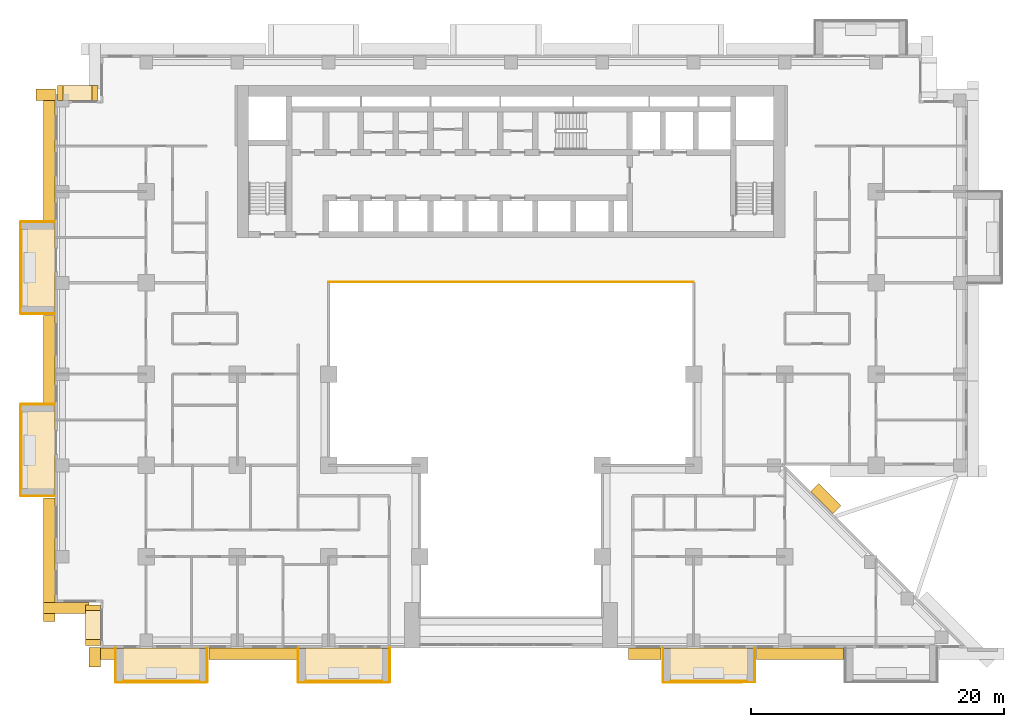
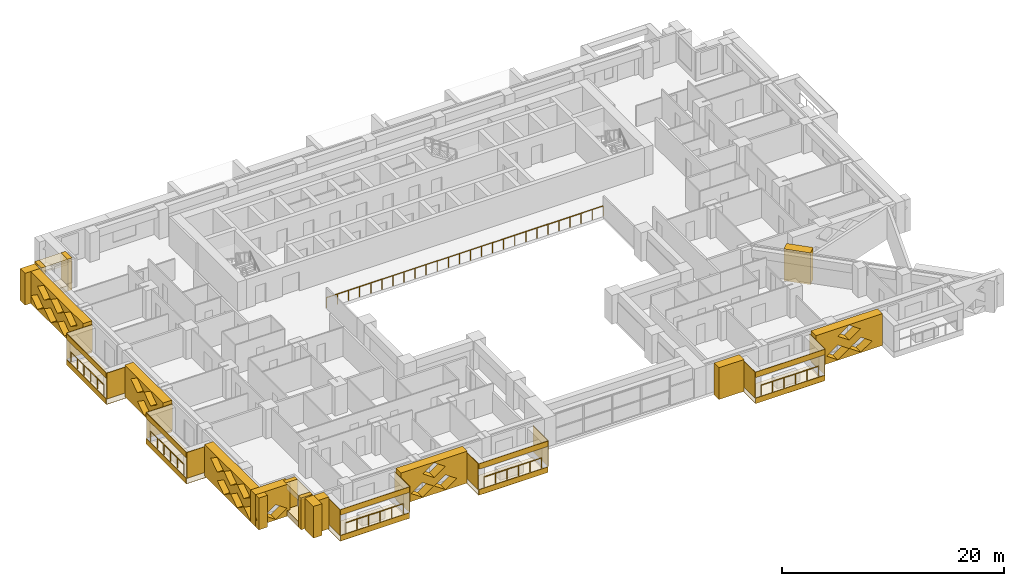
# One storey, part 14 of 17: 44 coverings, 6 railings.
"""IFC4 building model written with IfcOpenShell, lengths in metres."""

import ifcopenshell
import ifcopenshell.guid

model = None  # the IFC model being written
_history = None  # IfcOwnerHistory: only IFC2X3 demands one
_inside = {}  # id of a spatial element -> (the spatial element, [elements in it])
_under = {}  # id of a project, library or spatial element -> (it, [spatial elements below it])
_declared = {}  # id of a project -> (the project, [libraries it declares])
_typed = {}  # id of a type object -> (the type object, [elements of that type])
_made_of = {}  # id of a material, layer set ... -> (it, [elements and type objects made of it])


def new_model(schema):
    """Start an empty IFC model of exactly this schema.

    Asked for "IFC4X3", IfcOpenShell would pick the latest addendum, in which some entities
    have other attributes; the version numbers below select the first issue.
    IFC2X3 requires an IfcOwnerHistory on every rooted entity: one is made here for all.
    """
    global model, _history
    if schema == "IFC4X3":
        model = ifcopenshell.file(schema_version=(4, 3, 0, 0))
    else:
        model = ifcopenshell.file(schema=schema)
    _inside.clear()
    _under.clear()
    _declared.clear()
    _typed.clear()
    _made_of.clear()
    _history = None
    if model.schema == "IFC2X3":
        org = make("IfcOrganization", Name="unknown")
        user = make(
            "IfcPersonAndOrganization",
            ThePerson=make("IfcPerson", FamilyName="unknown"),
            TheOrganization=org,
        )
        app = make(
            "IfcApplication",
            ApplicationDeveloper=org,
            Version="unknown",
            ApplicationFullName="unknown",
            ApplicationIdentifier="unknown",
        )
        _history = make(
            "IfcOwnerHistory",
            OwningUser=user,
            OwningApplication=app,
            ChangeAction="ADDED",
            CreationDate=0,
        )
    return model


def make(cls, **values):
    """One entity of the class cls with the attributes given. An attribute that is None is left unset."""
    return model.create_entity(
        cls, **{name: value for name, value in values.items() if value is not None}
    )


def rooted(cls, **values):
    """An entity with a GlobalId (a new one), such as an element, a storey or a relation."""
    return make(cls, GlobalId=ifcopenshell.guid.new(), OwnerHistory=_history, **values)


def si_unit(unit_type, name, prefix=None):
    """IfcSIUnit, for example si_unit("LENGTHUNIT", "METRE", prefix="MILLI")."""
    return make("IfcSIUnit", UnitType=unit_type, Prefix=prefix, Name=name)


def assignment(units):
    """IfcUnitAssignment: the units of a project."""
    return None if units is None else make("IfcUnitAssignment", Units=units)


def point(xyz):
    """IfcCartesianPoint."""
    return None if xyz is None else make("IfcCartesianPoint", Coordinates=xyz)


def direction(xyz):
    """IfcDirection."""
    return None if xyz is None else make("IfcDirection", DirectionRatios=xyz)


def frame(location, z_axis=None, x_axis=None):
    """IfcAxis2Placement3D, a coordinate frame: its origin and axes. An axis left out is left unset."""
    return make(
        "IfcAxis2Placement3D",
        Location=point(location),
        Axis=direction(z_axis),
        RefDirection=direction(x_axis),
    )


def frame_2d(location, x_axis=None):
    """IfcAxis2Placement2D, a coordinate frame in the plane: its origin and x axis."""
    return make(
        "IfcAxis2Placement2D", Location=point(location), RefDirection=direction(x_axis)
    )


def origin():
    """The frame at (0, 0, 0) with its axes left unset."""
    return frame((0.0, 0.0, 0.0))


def origin_2d():
    """The frame at (0, 0) in the plane with its x axis left unset."""
    return frame_2d((0.0, 0.0))


def place(relative_to, where):
    """IfcLocalPlacement: puts the frame where relative to a parent placement (None: the world)."""
    return make(
        "IfcLocalPlacement", PlacementRelTo=relative_to, RelativePlacement=where
    )


def context(
    kind, dimensions, precision=None, world=None, true_north=None, identifier=None
):
    """IfcGeometricRepresentationContext, for example the 3D "Model" context."""
    return make(
        "IfcGeometricRepresentationContext",
        ContextIdentifier=identifier,
        ContextType=kind,
        CoordinateSpaceDimension=dimensions,
        Precision=precision,
        WorldCoordinateSystem=world,
        TrueNorth=true_north,
    )


def subcontext(parent, identifier, kind, view, scale=None):
    """IfcGeometricRepresentationSubContext, for example "Body" below "Model"."""
    return make(
        "IfcGeometricRepresentationSubContext",
        ContextIdentifier=identifier,
        ContextType=kind,
        ParentContext=parent,
        TargetScale=scale,
        TargetView=view,
    )


def project(units=None, contexts=None):
    """IfcProject with its units and contexts."""
    return rooted(
        "IfcProject",
        Name="project",
        RepresentationContexts=contexts,
        UnitsInContext=assignment(units),
    )


def spatial(cls, under=None, at=None, **own):
    """A site, building, storey or space (cls), placed at a placement, below another one or the project."""
    s = rooted(cls, ObjectPlacement=at, **own)
    if under is not None:
        _under.setdefault(under.id(), (under, []))[1].append(s)
    return s


def polyline(points):
    """IfcPolyline through the points."""
    return make("IfcPolyline", Points=[point(p) for p in points])


def profile(cls, at=None, kind="AREA", **sizes):
    """A parametric profile (cls). Its sizes go by their IFC names, for example OverallWidth=200.0."""
    return make(cls, ProfileType=kind, Position=at, **sizes)


def circle(**sizes):
    """IfcCircleProfileDef."""
    return profile("IfcCircleProfileDef", **sizes)


def outline(outer, holes=None, kind="AREA"):
    """IfcArbitraryClosedProfileDef: a profile drawn as a closed curve; with holes, ...WithVoids."""
    if holes is None:
        return make("IfcArbitraryClosedProfileDef", ProfileType=kind, OuterCurve=outer)
    return make(
        "IfcArbitraryProfileDefWithVoids",
        ProfileType=kind,
        OuterCurve=outer,
        InnerCurves=holes,
    )


def extrude(swept, where, along, depth):
    """IfcExtrudedAreaSolid: the profile swept, set in the frame where, extruded along a direction by depth."""
    return make(
        "IfcExtrudedAreaSolid",
        SweptArea=swept,
        Position=where,
        ExtrudedDirection=direction(along),
        Depth=depth,
    )


def shape(context_of_items, identifier, shape_type, items):
    """IfcShapeRepresentation: the items that make up one representation, for example the "Body"."""
    return make(
        "IfcShapeRepresentation",
        ContextOfItems=context_of_items,
        RepresentationIdentifier=identifier,
        RepresentationType=shape_type,
        Items=items,
    )


def material(Name=None, Category=None):
    """IfcMaterial."""
    return make("IfcMaterial", Name=Name, Category=Category)


def layer(
    of_material, thickness, ventilated=None, Name=None, Category=None, Priority=None
):
    """IfcMaterialLayer: one layer of a wall or slab, of a material (None: an air gap)."""
    return make(
        "IfcMaterialLayer",
        Material=of_material,
        LayerThickness=thickness,
        IsVentilated=ventilated,
        Name=Name,
        Category=Category,
        Priority=Priority,
    )


def layer_set(layers, Name=None):
    """IfcMaterialLayerSet."""
    return make("IfcMaterialLayerSet", MaterialLayers=layers, LayerSetName=Name)


def made_of(thing, what):
    """Note that an element or type object is made of a material, layer set ...; save() writes the relation."""
    if what is not None:
        _made_of.setdefault(what.id(), (what, []))[1].append(thing)
    return thing


def type_object(cls, material=None, **own):
    """A type object (cls), such as IfcWallType, which elements share."""
    return made_of(rooted(cls, **own), material)


def element(
    cls,
    number,
    at=None,
    inside=None,
    cuts=None,
    type_object=None,
    material=None,
    context=None,
    identifier="Body",
    shape_type=None,
    held_by="IfcProductDefinitionShape",
    body=None,
    shapes=None,
    **own,
):
    """One element of the class cls, such as IfcWall. Its Tag is "e" and its number.

    at: its placement. inside: the storey or other place that contains it. cuts: it is an
    opening in that element (IfcRelVoidsElement). A single representation is given by context,
    identifier, shape_type and body (its items); several are given by shapes. held_by: the class
    of the entity that holds the representations. save() writes the other relations.
    """
    e = rooted(cls, Tag="e%d" % number, ObjectPlacement=at, **own)
    if body is not None:
        shapes = [shape(context, identifier, shape_type, body)]
    if shapes is not None:
        e.Representation = make(held_by, Representations=shapes)
    if inside is not None:
        _inside.setdefault(inside.id(), (inside, []))[1].append(e)
    if cuts is not None:
        rooted(
            "IfcRelVoidsElement", RelatingBuildingElement=cuts, RelatedOpeningElement=e
        )
    if type_object is not None:
        _typed.setdefault(type_object.id(), (type_object, []))[1].append(e)
    return made_of(e, material)


def aggregate(whole, parts):
    """IfcRelAggregates: a whole, such as a stair, and the parts it consists of."""
    return rooted("IfcRelAggregates", RelatingObject=whole, RelatedObjects=parts)


def save(model, path):
    """Write the relations noted so far, then the file.

    IfcRelAggregates (storeys below a building ...), IfcRelContainedInSpatialStructure (elements
    in a storey), IfcRelDefinesByType, IfcRelAssociatesMaterial and IfcRelDeclares: one each for
    every whole, place, type object, material and project.
    """
    for whole, parts in _under.values():
        aggregate(whole, parts)
    for where, things in _inside.values():
        rooted(
            "IfcRelContainedInSpatialStructure",
            RelatedElements=things,
            RelatingStructure=where,
        )
    for kind, things in _typed.values():
        rooted("IfcRelDefinesByType", RelatedObjects=things, RelatingType=kind)
    for what, things in _made_of.values():
        rooted("IfcRelAssociatesMaterial", RelatedObjects=things, RelatingMaterial=what)
    for by, libraries in _declared.values():
        rooted("IfcRelDeclares", RelatingContext=by, RelatedDefinitions=libraries)
    model.write(path)


model = new_model("IFC4")

# Units and contexts
model_context = context("Model", 3, precision=1e-05, world=origin(), true_north=direction((0.0, 1.0)))
body_context = subcontext(model_context, "Body", "Model", "MODEL_VIEW")
ifc_project = project(units=[si_unit("LENGTHUNIT", "METRE"), si_unit("AREAUNIT", "SQUARE_METRE"), si_unit("VOLUMEUNIT", "CUBIC_METRE"), si_unit("PLANEANGLEUNIT", "RADIAN"), si_unit("MASSUNIT", "GRAM", prefix="KILO")], contexts=[model_context])

# Site, building, storey
site_placement = place(None, origin())
site = spatial("IfcSite", under=ifc_project, at=site_placement, CompositionType="ELEMENT")
building_placement = place(site_placement, origin())
building = spatial("IfcBuilding", under=site, at=building_placement, Name="Saffron Iwan Residences", CompositionType="ELEMENT")
storey_placement = place(building_placement, frame((0.0, 0.0, 62.0)))
storey = spatial("IfcBuildingStorey", under=building, at=storey_placement, Name="L15", CompositionType="ELEMENT", Elevation=62.0)

# Railings
ifc_material_1 = material(Name="Stainless steel 316", Category="steel")
railing_type_1 = type_object("IfcRailingType", Name="Atrium guard 1150", PredefinedType="GUARDRAIL", material=ifc_material_1)
railing_placement = place(storey_placement, frame((36.0, 62.47509765625, 0.0)))
element("IfcRailing", 1, at=railing_placement, inside=storey, type_object=railing_type_1, Name="Atrium guard L15", PredefinedType="GUARDRAIL", context=body_context, shape_type="SweptSolid", body=[
    extrude(circle(Radius=0.02392578125, at=origin_2d()), frame((0.0, 0.0, 1.1259765625), z_axis=(1.0, 0.0, 0.0), x_axis=(0.0, 1.0, 0.0)), (0.0, 0.0, 1.0), 28.800048828125),
    extrude(circle(Radius=0.02099609375, at=origin_2d()), origin(), (0.0, 0.0, 1.0), 1.101806640625),
    extrude(circle(Radius=0.02099609375, at=origin_2d()), frame((1.152099609375, 0.0, 0.0)), (0.0, 0.0, 1.0), 1.101806640625),
    extrude(circle(Radius=0.02099609375, at=origin_2d()), frame((2.303955078125, 0.0, 0.0)), (0.0, 0.0, 1.0), 1.101806640625),
    extrude(circle(Radius=0.02099609375, at=origin_2d()), frame((3.4560546875, 0.0, 0.0)), (0.0, 0.0, 1.0), 1.101806640625),
    extrude(circle(Radius=0.02099609375, at=origin_2d()), frame((4.60791015625, 0.0, 0.0)), (0.0, 0.0, 1.0), 1.101806640625),
    extrude(circle(Radius=0.02099609375, at=origin_2d()), frame((5.760009765625, 0.0, 0.0)), (0.0, 0.0, 1.0), 1.101806640625),
    extrude(circle(Radius=0.02099609375, at=origin_2d()), frame((6.912109375, 0.0, 0.0)), (0.0, 0.0, 1.0), 1.101806640625),
    extrude(circle(Radius=0.02099609375, at=origin_2d()), frame((8.06396484375, 0.0, 0.0)), (0.0, 0.0, 1.0), 1.101806640625),
    extrude(circle(Radius=0.02099609375, at=origin_2d()), frame((9.216064453125, 0.0, 0.0)), (0.0, 0.0, 1.0), 1.101806640625),
    extrude(circle(Radius=0.02099609375, at=origin_2d()), frame((10.367919921875, 0.0, 0.0)), (0.0, 0.0, 1.0), 1.101806640625),
    extrude(circle(Radius=0.02099609375, at=origin_2d()), frame((11.52001953125, 0.0, 0.0)), (0.0, 0.0, 1.0), 1.101806640625),
    extrude(circle(Radius=0.02099609375, at=origin_2d()), frame((12.672119140625, 0.0, 0.0)), (0.0, 0.0, 1.0), 1.101806640625),
    extrude(circle(Radius=0.02099609375, at=origin_2d()), frame((13.823974609375, 0.0, 0.0)), (0.0, 0.0, 1.0), 1.101806640625),
    extrude(circle(Radius=0.02099609375, at=origin_2d()), frame((14.97607421875, 0.0, 0.0)), (0.0, 0.0, 1.0), 1.101806640625),
    extrude(circle(Radius=0.02099609375, at=origin_2d()), frame((16.1279296875, 0.0, 0.0)), (0.0, 0.0, 1.0), 1.101806640625),
    extrude(circle(Radius=0.02099609375, at=origin_2d()), frame((17.280029296875, 0.0, 0.0)), (0.0, 0.0, 1.0), 1.101806640625),
    extrude(circle(Radius=0.02099609375, at=origin_2d()), frame((18.43212890625, 0.0, 0.0)), (0.0, 0.0, 1.0), 1.101806640625),
    extrude(circle(Radius=0.02099609375, at=origin_2d()), frame((19.583984375, 0.0, 0.0)), (0.0, 0.0, 1.0), 1.101806640625),
    extrude(circle(Radius=0.02099609375, at=origin_2d()), frame((20.736083984375, 0.0, 0.0)), (0.0, 0.0, 1.0), 1.101806640625),
    extrude(circle(Radius=0.02099609375, at=origin_2d()), frame((21.887939453125, 0.0, 0.0)), (0.0, 0.0, 1.0), 1.101806640625),
    extrude(circle(Radius=0.02099609375, at=origin_2d()), frame((23.0400390625, 0.0, 0.0)), (0.0, 0.0, 1.0), 1.101806640625),
    extrude(circle(Radius=0.02099609375, at=origin_2d()), frame((24.192138671875, 0.0, 0.0)), (0.0, 0.0, 1.0), 1.101806640625),
    extrude(circle(Radius=0.02099609375, at=origin_2d()), frame((25.343994140625, 0.0, 0.0)), (0.0, 0.0, 1.0), 1.101806640625),
    extrude(circle(Radius=0.02099609375, at=origin_2d()), frame((26.49609375, 0.0, 0.0)), (0.0, 0.0, 1.0), 1.101806640625),
    extrude(circle(Radius=0.02099609375, at=origin_2d()), frame((27.64794921875, 0.0, 0.0)), (0.0, 0.0, 1.0), 1.101806640625),
    extrude(circle(Radius=0.02099609375, at=origin_2d()), frame((28.800048828125, 0.0, 0.0)), (0.0, 0.0, 1.0), 1.101806640625),
])
railing_type_2 = type_object("IfcRailingType", Name="BALCONY GUARD 1150", PredefinedType="GUARDRAIL", material=ifc_material_1)
for number, where, name in (
    (2, (11.77490234375, 66.60009765625, 0.0), "Balcony guard L15 F8-0"),
    (3, (11.77490234375, 52.199951171875, 0.0), "Balcony guard L15 F8-1"),
):
    element("IfcRailing", number, at=place(storey_placement, frame(where)), inside=storey, type_object=railing_type_2, Name=name, PredefinedType="GUARDRAIL", context=body_context, shape_type="SweptSolid", body=[
        extrude(circle(Radius=0.02392578125, at=origin_2d()), frame((0.0, 0.0, 1.1259765625), z_axis=(0.0, -1.0, 0.0), x_axis=(1.0, 0.0, 0.0)), (0.0, 0.0, 1.0), 6.0),
        extrude(circle(Radius=0.02099609375, at=origin_2d()), origin(), (0.0, 0.0, 1.0), 1.101806640625),
        extrude(circle(Radius=0.02099609375, at=origin_2d()), frame((0.0, -1.199951171875, 0.0)), (0.0, 0.0, 1.0), 1.101806640625),
        extrude(circle(Radius=0.02099609375, at=origin_2d()), frame((0.0, -2.39990234375, 0.0)), (0.0, 0.0, 1.0), 1.101806640625),
        extrude(circle(Radius=0.02099609375, at=origin_2d()), frame((0.0, -3.60009765625, 0.0)), (0.0, 0.0, 1.0), 1.101806640625),
        extrude(circle(Radius=0.02099609375, at=origin_2d()), frame((0.0, -4.800048828125, 0.0)), (0.0, 0.0, 1.0), 1.101806640625),
        extrude(circle(Radius=0.02099609375, at=origin_2d()), frame((0.0, -6.0, 0.0)), (0.0, 0.0, 1.0), 1.101806640625),
    ])
for number, where, name in (
    (4, (19.800048828125, 30.97509765625, 0.0), "Balcony guard L15 11-0"),
    (5, (34.199951171875, 30.97509765625, 0.0), "Balcony guard L15 11-1"),
    (6, (63.0, 30.97509765625, 0.0), "Balcony guard L15 11-2"),
):
    element("IfcRailing", number, at=place(storey_placement, frame(where)), inside=storey, type_object=railing_type_2, Name=name, PredefinedType="GUARDRAIL", context=body_context, shape_type="SweptSolid", body=[
        extrude(circle(Radius=0.02392578125, at=origin_2d()), frame((0.0, 0.0, 1.1259765625), z_axis=(1.0, 0.0, 0.0), x_axis=(0.0, 1.0, 0.0)), (0.0, 0.0, 1.0), 6.0),
        extrude(circle(Radius=0.02099609375, at=origin_2d()), origin(), (0.0, 0.0, 1.0), 1.101806640625),
        extrude(circle(Radius=0.02099609375, at=origin_2d()), frame((1.199951171875, 0.0, 0.0)), (0.0, 0.0, 1.0), 1.101806640625),
        extrude(circle(Radius=0.02099609375, at=origin_2d()), frame((2.39990234375, 0.0, 0.0)), (0.0, 0.0, 1.0), 1.101806640625),
        extrude(circle(Radius=0.02099609375, at=origin_2d()), frame((3.60009765625, 0.0, 0.0)), (0.0, 0.0, 1.0), 1.101806640625),
        extrude(circle(Radius=0.02099609375, at=origin_2d()), frame((4.800048828125, 0.0, 0.0)), (0.0, 0.0, 1.0), 1.101806640625),
        extrude(circle(Radius=0.02099609375, at=origin_2d()), frame((6.0, 0.0, 0.0)), (0.0, 0.0, 1.0), 1.101806640625),
    ])

# Coverings
ifc_material_2 = material(Name="Precast concrete C40/50 white painted", Category="concrete")
ifc_layer = layer(ifc_material_2, 0.050048828125)
ifc_layer_set = layer_set([ifc_layer], Name="Precast concrete C40/50 white painted")
covering_type_1 = type_object("IfcCoveringType", Name="FRAME SKIN PRECAST WHITE 50", PredefinedType="CLADDING", material=ifc_layer_set)
for number, where, name in (
    (7, (0.0, 0.0, -0.60009765625), "Frame skin slab edge L15 F8-0"),
    (8, (0.0, 0.0, 2.25), "Frame skin fascia L15 F8-0"),
):
    element("IfcCovering", number, at=place(storey_placement, frame(where)), inside=storey, type_object=covering_type_1, Name=name, PredefinedType="CLADDING", context=body_context, shape_type="SweptSolid", body=[
        extrude(outline(polyline([(11.64990234375, 67.199951171875), (11.64990234375, 60.0), (11.699951171875, 60.0), (11.699951171875, 67.199951171875), (11.64990234375, 67.199951171875)])), origin(), (0.0, 0.0, 1.0), 0.60009765625),
    ])
covering_1_placement = place(storey_placement, frame((0.0, 0.0, -0.64990234375)))
element("IfcCovering", 9, at=covering_1_placement, inside=storey, type_object=covering_type_1, Name="Frame skin soffit L15 F8-0", PredefinedType="CLADDING", context=body_context, shape_type="SweptSolid", body=[
    extrude(outline(polyline([(11.699951171875, 67.199951171875), (11.699951171875, 60.0), (14.39990234375, 60.0), (14.39990234375, 67.199951171875), (11.699951171875, 67.199951171875)])), origin(), (0.0, 0.0, 1.0), 0.0498046875),
])
covering_2_placement = place(storey_placement, origin())
element("IfcCovering", 10, at=covering_2_placement, inside=storey, type_object=covering_type_1, Name="Frame skin fin L15 F8-0a", PredefinedType="CLADDING", context=body_context, shape_type="SweptSolid", body=[
    extrude(outline(polyline([(11.699951171875, 67.25), (11.699951171875, 67.199951171875), (14.39990234375, 67.199951171875), (14.39990234375, 67.25), (11.699951171875, 67.25)])), origin(), (0.0, 0.0, 1.0), 2.85009765625),
])
covering_3_placement = place(storey_placement, origin())
element("IfcCovering", 11, at=covering_3_placement, inside=storey, type_object=covering_type_1, Name="Frame skin fin L15 F8-0b", PredefinedType="CLADDING", context=body_context, shape_type="SweptSolid", body=[
    extrude(outline(polyline([(11.699951171875, 60.0), (11.699951171875, 59.949951171875), (14.39990234375, 59.949951171875), (14.39990234375, 60.0), (11.699951171875, 60.0)])), origin(), (0.0, 0.0, 1.0), 2.85009765625),
])
for number, where, name in (
    (12, (0.0, 0.0, -0.60009765625), "Frame skin slab edge L15 F8-1"),
    (13, (0.0, 0.0, 2.25), "Frame skin fascia L15 F8-1"),
):
    element("IfcCovering", number, at=place(storey_placement, frame(where)), inside=storey, type_object=covering_type_1, Name=name, PredefinedType="CLADDING", context=body_context, shape_type="SweptSolid", body=[
        extrude(outline(polyline([(11.64990234375, 52.800048828125), (11.64990234375, 45.60009765625), (11.699951171875, 45.60009765625), (11.699951171875, 52.800048828125), (11.64990234375, 52.800048828125)])), origin(), (0.0, 0.0, 1.0), 0.60009765625),
    ])
covering_4_placement = place(storey_placement, frame((0.0, 0.0, -0.64990234375)))
element("IfcCovering", 14, at=covering_4_placement, inside=storey, type_object=covering_type_1, Name="Frame skin soffit L15 F8-1", PredefinedType="CLADDING", context=body_context, shape_type="SweptSolid", body=[
    extrude(outline(polyline([(11.699951171875, 52.800048828125), (11.699951171875, 45.60009765625), (14.39990234375, 45.60009765625), (14.39990234375, 52.800048828125), (11.699951171875, 52.800048828125)])), origin(), (0.0, 0.0, 1.0), 0.0498046875),
])
covering_5_placement = place(storey_placement, origin())
element("IfcCovering", 15, at=covering_5_placement, inside=storey, type_object=covering_type_1, Name="Frame skin fin L15 F8-1a", PredefinedType="CLADDING", context=body_context, shape_type="SweptSolid", body=[
    extrude(outline(polyline([(11.699951171875, 52.85009765625), (11.699951171875, 52.800048828125), (14.39990234375, 52.800048828125), (14.39990234375, 52.85009765625), (11.699951171875, 52.85009765625)])), origin(), (0.0, 0.0, 1.0), 2.85009765625),
])
covering_6_placement = place(storey_placement, origin())
element("IfcCovering", 16, at=covering_6_placement, inside=storey, type_object=covering_type_1, Name="Frame skin fin L15 F8-1b", PredefinedType="CLADDING", context=body_context, shape_type="SweptSolid", body=[
    extrude(outline(polyline([(11.699951171875, 45.60009765625), (11.699951171875, 45.550048828125), (14.39990234375, 45.550048828125), (14.39990234375, 45.60009765625), (11.699951171875, 45.60009765625)])), origin(), (0.0, 0.0, 1.0), 2.85009765625),
])
for number, where, name in (
    (17, (0.0, 0.0, -0.60009765625), "Frame skin slab edge L15 11-0"),
    (18, (0.0, 0.0, 2.25), "Frame skin fascia L15 11-0"),
):
    element("IfcCovering", number, at=place(storey_placement, frame(where)), inside=storey, type_object=covering_type_1, Name=name, PredefinedType="CLADDING", context=body_context, shape_type="SweptSolid", body=[
        extrude(outline(polyline([(19.199951171875, 30.85009765625), (26.39990234375, 30.85009765625), (26.39990234375, 30.89990234375), (19.199951171875, 30.89990234375), (19.199951171875, 30.85009765625)])), origin(), (0.0, 0.0, 1.0), 0.60009765625),
    ])
covering_7_placement = place(storey_placement, frame((0.0, 0.0, -0.64990234375)))
element("IfcCovering", 19, at=covering_7_placement, inside=storey, type_object=covering_type_1, Name="Frame skin soffit L15 11-0", PredefinedType="CLADDING", context=body_context, shape_type="SweptSolid", body=[
    extrude(outline(polyline([(19.199951171875, 30.89990234375), (26.39990234375, 30.89990234375), (26.39990234375, 33.60009765625), (19.199951171875, 33.60009765625), (19.199951171875, 30.89990234375)])), origin(), (0.0, 0.0, 1.0), 0.0498046875),
])
covering_8_placement = place(storey_placement, origin())
element("IfcCovering", 20, at=covering_8_placement, inside=storey, type_object=covering_type_1, Name="Frame skin fin L15 11-0a", PredefinedType="CLADDING", context=body_context, shape_type="SweptSolid", body=[
    extrude(outline(polyline([(19.14990234375, 30.89990234375), (19.199951171875, 30.89990234375), (19.199951171875, 33.60009765625), (19.14990234375, 33.60009765625), (19.14990234375, 30.89990234375)])), origin(), (0.0, 0.0, 1.0), 2.85009765625),
])
covering_9_placement = place(storey_placement, origin())
element("IfcCovering", 21, at=covering_9_placement, inside=storey, type_object=covering_type_1, Name="Frame skin fin L15 11-0b", PredefinedType="CLADDING", context=body_context, shape_type="SweptSolid", body=[
    extrude(outline(polyline([(26.39990234375, 30.89990234375), (26.449951171875, 30.89990234375), (26.449951171875, 33.60009765625), (26.39990234375, 33.60009765625), (26.39990234375, 30.89990234375)])), origin(), (0.0, 0.0, 1.0), 2.85009765625),
])
for number, where, name in (
    (22, (0.0, 0.0, -0.60009765625), "Frame skin slab edge L15 11-1"),
    (23, (0.0, 0.0, 2.25), "Frame skin fascia L15 11-1"),
):
    element("IfcCovering", number, at=place(storey_placement, frame(where)), inside=storey, type_object=covering_type_1, Name=name, PredefinedType="CLADDING", context=body_context, shape_type="SweptSolid", body=[
        extrude(outline(polyline([(33.60009765625, 30.85009765625), (40.800048828125, 30.85009765625), (40.800048828125, 30.89990234375), (33.60009765625, 30.89990234375), (33.60009765625, 30.85009765625)])), origin(), (0.0, 0.0, 1.0), 0.60009765625),
    ])
covering_10_placement = place(storey_placement, frame((0.0, 0.0, -0.64990234375)))
element("IfcCovering", 24, at=covering_10_placement, inside=storey, type_object=covering_type_1, Name="Frame skin soffit L15 11-1", PredefinedType="CLADDING", context=body_context, shape_type="SweptSolid", body=[
    extrude(outline(polyline([(33.60009765625, 30.89990234375), (40.800048828125, 30.89990234375), (40.800048828125, 33.60009765625), (33.60009765625, 33.60009765625), (33.60009765625, 30.89990234375)])), origin(), (0.0, 0.0, 1.0), 0.0498046875),
])
covering_11_placement = place(storey_placement, origin())
element("IfcCovering", 25, at=covering_11_placement, inside=storey, type_object=covering_type_1, Name="Frame skin fin L15 11-1a", PredefinedType="CLADDING", context=body_context, shape_type="SweptSolid", body=[
    extrude(outline(polyline([(33.550048828125, 30.89990234375), (33.60009765625, 30.89990234375), (33.60009765625, 33.60009765625), (33.550048828125, 33.60009765625), (33.550048828125, 30.89990234375)])), origin(), (0.0, 0.0, 1.0), 2.85009765625),
])
covering_12_placement = place(storey_placement, origin())
element("IfcCovering", 26, at=covering_12_placement, inside=storey, type_object=covering_type_1, Name="Frame skin fin L15 11-1b", PredefinedType="CLADDING", context=body_context, shape_type="SweptSolid", body=[
    extrude(outline(polyline([(40.800048828125, 30.89990234375), (40.85009765625, 30.89990234375), (40.85009765625, 33.60009765625), (40.800048828125, 33.60009765625), (40.800048828125, 30.89990234375)])), origin(), (0.0, 0.0, 1.0), 2.85009765625),
])
for number, where, name in (
    (27, (0.0, 0.0, -0.60009765625), "Frame skin slab edge L15 11-2"),
    (28, (0.0, 0.0, 2.25), "Frame skin fascia L15 11-2"),
):
    element("IfcCovering", number, at=place(storey_placement, frame(where)), inside=storey, type_object=covering_type_1, Name=name, PredefinedType="CLADDING", context=body_context, shape_type="SweptSolid", body=[
        extrude(outline(polyline([(62.39990234375, 30.85009765625), (69.60009765625, 30.85009765625), (69.60009765625, 30.89990234375), (62.39990234375, 30.89990234375), (62.39990234375, 30.85009765625)])), origin(), (0.0, 0.0, 1.0), 0.60009765625),
    ])
covering_13_placement = place(storey_placement, frame((0.0, 0.0, -0.64990234375)))
element("IfcCovering", 29, at=covering_13_placement, inside=storey, type_object=covering_type_1, Name="Frame skin soffit L15 11-2", PredefinedType="CLADDING", context=body_context, shape_type="SweptSolid", body=[
    extrude(outline(polyline([(62.39990234375, 30.89990234375), (69.60009765625, 30.89990234375), (69.60009765625, 33.60009765625), (62.39990234375, 33.60009765625), (62.39990234375, 30.89990234375)])), origin(), (0.0, 0.0, 1.0), 0.0498046875),
])
covering_14_placement = place(storey_placement, origin())
element("IfcCovering", 30, at=covering_14_placement, inside=storey, type_object=covering_type_1, Name="Frame skin fin L15 11-2a", PredefinedType="CLADDING", context=body_context, shape_type="SweptSolid", body=[
    extrude(outline(polyline([(62.35009765625, 30.89990234375), (62.39990234375, 30.89990234375), (62.39990234375, 33.60009765625), (62.35009765625, 33.60009765625), (62.35009765625, 30.89990234375)])), origin(), (0.0, 0.0, 1.0), 2.85009765625),
])
covering_15_placement = place(storey_placement, origin())
element("IfcCovering", 31, at=covering_15_placement, inside=storey, type_object=covering_type_1, Name="Frame skin fin L15 11-2b", PredefinedType="CLADDING", context=body_context, shape_type="SweptSolid", body=[
    extrude(outline(polyline([(69.60009765625, 30.89990234375), (69.64990234375, 30.89990234375), (69.64990234375, 33.60009765625), (69.60009765625, 33.60009765625), (69.60009765625, 30.89990234375)])), origin(), (0.0, 0.0, 1.0), 2.85009765625),
])
ifc_material_3 = material(Name="Precast concrete C40/50", Category="concrete")
covering_type_2 = type_object("IfcCoveringType", Name="OUTER SKIN LATTICE SCREEN", PredefinedType="CLADDING", material=ifc_material_3)
covering_16_placement = place(storey_placement, frame((75.805908203125, 44.194091796875, -0.320068359375), z_axis=(0.707106781187, 0.707106781187, 0.0), x_axis=(-0.707106781187, 0.707106781187, 0.0)))
element("IfcCovering", 32, at=covering_16_placement, inside=storey, type_object=covering_type_2, Name="OUTER SKIN lattice screen L15 F0.1", PredefinedType="CLADDING", context=body_context, shape_type="SweptSolid", body=[
    extrude(outline(polyline([(0.0, 0.0), (2.4853515625, 0.0), (2.4853515625, 3.5), (0.0, 3.5), (0.0, 0.0)])), origin(), (0.0, 0.0, 1.0), 0.900146484375),
])
covering_17_placement = place(storey_placement, frame((14.449951171875, 76.800048828125, -0.320068359375), z_axis=(0.0, 1.0, 0.0), x_axis=(-1.0, 0.0, 0.0)))
element("IfcCovering", 33, at=covering_17_placement, inside=storey, type_object=covering_type_2, Name="OUTER SKIN lattice screen L15 F7.0", PredefinedType="CLADDING", context=body_context, shape_type="SweptSolid", body=[
    extrude(outline(polyline([(0.0, 0.0), (1.550048828125, 0.0), (1.550048828125, 3.5), (0.0, 3.5), (0.0, 0.0)])), origin(), (0.0, 0.0, 1.0), 0.89990234375),
])
covering_18_placement = place(storey_placement, frame((14.39990234375, 77.699951171875, -0.320068359375), z_axis=(-1.0, 0.0, 0.0), x_axis=(0.0, -1.0, 0.0)))
element("IfcCovering", 34, at=covering_18_placement, inside=storey, type_object=covering_type_2, Name="OUTER SKIN lattice screen L15 F8.0", PredefinedType="CLADDING", context=body_context, shape_type="SweptSolid", body=[
    extrude(outline(polyline([(0.0, 0.0), (10.35009765625, 0.0), (10.35009765625, 3.5), (0.0, 3.5), (0.0, 0.0)]), holes=[polyline([(0.919921875, 0.875), (2.10009765625, 0.06005859375), (3.280029296875, 0.875), (2.10009765625, 1.68994140625), (0.919921875, 0.875)]), polyline([(3.320068359375, 0.875), (4.5, 0.06005859375), (5.679931640625, 0.875), (4.5, 1.68994140625), (3.320068359375, 0.875)]), polyline([(5.719970703125, 0.875), (6.89990234375, 0.06005859375), (8.080078125, 0.875), (6.89990234375, 1.68994140625), (5.719970703125, 0.875)]), polyline([(2.1201171875, 2.625), (3.300048828125, 1.81005859375), (4.47998046875, 2.625), (3.300048828125, 3.43994140625), (2.1201171875, 2.625)]), polyline([(4.52001953125, 2.625), (5.699951171875, 1.81005859375), (6.8798828125, 2.625), (5.699951171875, 3.43994140625), (4.52001953125, 2.625)]), polyline([(6.919921875, 2.625), (8.10009765625, 1.81005859375), (9.280029296875, 2.625), (8.10009765625, 3.43994140625), (6.919921875, 2.625)])]), origin(), (0.0, 0.0, 1.0), 0.89990234375),
])
covering_19_placement = place(storey_placement, frame((14.39990234375, 59.85009765625, -0.320068359375), z_axis=(-1.0, 0.0, 0.0), x_axis=(0.0, -1.0, 0.0)))
element("IfcCovering", 35, at=covering_19_placement, inside=storey, type_object=covering_type_2, Name="OUTER SKIN lattice screen L15 F8.1", PredefinedType="CLADDING", context=body_context, shape_type="SweptSolid", body=[
    extrude(outline(polyline([(0.0, 0.0), (6.89990234375, 0.0), (6.89990234375, 3.5), (0.0, 3.5), (0.0, 0.0)]), holes=[polyline([(2.27001953125, 0.875), (3.449951171875, 0.06005859375), (4.6298828125, 0.875), (3.449951171875, 1.68994140625), (2.27001953125, 0.875)]), polyline([(1.070068359375, 2.625), (2.25, 1.81005859375), (3.429931640625, 2.625), (2.25, 3.43994140625), (1.070068359375, 2.625)]), polyline([(3.469970703125, 2.625), (4.64990234375, 1.81005859375), (5.830078125, 2.625), (4.64990234375, 3.43994140625), (3.469970703125, 2.625)])]), origin(), (0.0, 0.0, 1.0), 0.89990234375),
])
covering_20_placement = place(storey_placement, frame((14.39990234375, 45.449951171875, -0.320068359375), z_axis=(-1.0, 0.0, 0.0), x_axis=(0.0, -1.0, 0.0)))
element("IfcCovering", 36, at=covering_20_placement, inside=storey, type_object=covering_type_2, Name="OUTER SKIN lattice screen L15 F8.2", PredefinedType="CLADDING", context=body_context, shape_type="SweptSolid", body=[
    extrude(outline(polyline([(0.0, 0.0), (9.75, 0.0), (9.75, 3.5), (0.0, 3.5), (0.0, 0.0)]), holes=[polyline([(2.27001953125, 0.875), (3.449951171875, 0.06005859375), (4.6298828125, 0.875), (3.449951171875, 1.68994140625), (2.27001953125, 0.875)]), polyline([(4.669921875, 0.875), (5.85009765625, 0.06005859375), (7.030029296875, 0.875), (5.85009765625, 1.68994140625), (4.669921875, 0.875)]), polyline([(7.070068359375, 0.875), (8.25, 0.06005859375), (9.429931640625, 0.875), (8.25, 1.68994140625), (7.070068359375, 0.875)]), polyline([(1.070068359375, 2.625), (2.25, 1.81005859375), (3.429931640625, 2.625), (2.25, 3.43994140625), (1.070068359375, 2.625)]), polyline([(3.469970703125, 2.625), (4.64990234375, 1.81005859375), (5.830078125, 2.625), (4.64990234375, 3.43994140625), (3.469970703125, 2.625)]), polyline([(5.8701171875, 2.625), (7.050048828125, 1.81005859375), (8.22998046875, 2.625), (7.050048828125, 3.43994140625), (5.8701171875, 2.625)])]), origin(), (0.0, 0.0, 1.0), 0.89990234375),
])
covering_21_placement = place(storey_placement, frame((13.5, 37.199951171875, -0.320068359375), z_axis=(0.0, -1.0, 0.0), x_axis=(1.0, 0.0, 0.0)))
element("IfcCovering", 37, at=covering_21_placement, inside=storey, type_object=covering_type_2, Name="OUTER SKIN lattice screen L15 F9.0", PredefinedType="CLADDING", context=body_context, shape_type="SweptSolid", body=[
    extrude(outline(polyline([(0.0, 0.0), (3.60009765625, 0.0), (3.60009765625, 3.5), (0.0, 3.5), (0.0, 0.0)]), holes=[polyline([(0.919921875, 0.875), (2.10009765625, 0.06005859375), (3.280029296875, 0.875), (2.10009765625, 1.68994140625), (0.919921875, 0.875)])]), origin(), (0.0, 0.0, 1.0), 0.89990234375),
])
covering_22_placement = place(storey_placement, frame((18.0, 33.64990234375, -0.320068359375), z_axis=(-1.0, 0.0, 0.0), x_axis=(0.0, -1.0, 0.0)))
element("IfcCovering", 38, at=covering_22_placement, inside=storey, type_object=covering_type_2, Name="OUTER SKIN lattice screen L15 F10.0", PredefinedType="CLADDING", context=body_context, shape_type="SweptSolid", body=[
    extrude(outline(polyline([(0.0, 0.0), (1.550048828125, 0.0), (1.550048828125, 3.5), (0.0, 3.5), (0.0, 0.0)])), origin(), (0.0, 0.0, 1.0), 0.89990234375),
])
covering_23_placement = place(storey_placement, frame((17.10009765625, 33.60009765625, -0.320068359375), z_axis=(0.0, -1.0, 0.0), x_axis=(1.0, 0.0, 0.0)))
element("IfcCovering", 39, at=covering_23_placement, inside=storey, type_object=covering_type_2, Name="OUTER SKIN lattice screen L15 F11.0", PredefinedType="CLADDING", context=body_context, shape_type="SweptSolid", body=[
    extrude(outline(polyline([(0.0, 0.0), (1.949951171875, 0.0), (1.949951171875, 3.5), (0.0, 3.5), (0.0, 0.0)])), origin(), (0.0, 0.0, 1.0), 0.900146484375),
])
covering_24_placement = place(storey_placement, frame((26.550048828125, 33.60009765625, -0.320068359375), z_axis=(0.0, -1.0, 0.0), x_axis=(1.0, 0.0, 0.0)))
element("IfcCovering", 40, at=covering_24_placement, inside=storey, type_object=covering_type_2, Name="OUTER SKIN lattice screen L15 F11.1", PredefinedType="CLADDING", context=body_context, shape_type="SweptSolid", body=[
    extrude(outline(polyline([(0.0, 0.0), (6.89990234375, 0.0), (6.89990234375, 3.5), (0.0, 3.5), (0.0, 0.0)]), holes=[polyline([(1.070068359375, 0.875), (2.25, 0.06005859375), (3.429931640625, 0.875), (2.25, 1.68994140625), (1.070068359375, 0.875)]), polyline([(3.469970703125, 0.875), (4.64990234375, 0.06005859375), (5.830078125, 0.875), (4.64990234375, 1.68994140625), (3.469970703125, 0.875)]), polyline([(2.27001953125, 2.625), (3.449951171875, 1.81005859375), (4.6298828125, 2.625), (3.449951171875, 3.43994140625), (2.27001953125, 2.625)])]), origin(), (0.0, 0.0, 1.0), 0.900146484375),
])
covering_25_placement = place(storey_placement, frame((59.64990234375, 33.60009765625, -0.320068359375), z_axis=(0.0, -1.0, 0.0), x_axis=(1.0, 0.0, 0.0)))
element("IfcCovering", 41, at=covering_25_placement, inside=storey, type_object=covering_type_2, Name="OUTER SKIN lattice screen L15 F11.2", PredefinedType="CLADDING", context=body_context, shape_type="SweptSolid", body=[
    extrude(outline(polyline([(0.0, 0.0), (2.60009765625, 0.0), (2.60009765625, 3.5), (0.0, 3.5), (0.0, 0.0)])), origin(), (0.0, 0.0, 1.0), 0.900146484375),
])
covering_26_placement = place(storey_placement, frame((69.75, 33.60009765625, -0.320068359375), z_axis=(0.0, -1.0, 0.0), x_axis=(1.0, 0.0, 0.0)))
element("IfcCovering", 42, at=covering_26_placement, inside=storey, type_object=covering_type_2, Name="OUTER SKIN lattice screen L15 F11.3", PredefinedType="CLADDING", context=body_context, shape_type="SweptSolid", body=[
    extrude(outline(polyline([(0.0, 0.0), (6.89990234375, 0.0), (6.89990234375, 3.5), (0.0, 3.5), (0.0, 0.0)]), holes=[polyline([(1.070068359375, 0.875), (2.25, 0.06005859375), (3.429931640625, 0.875), (2.25, 1.68994140625), (1.070068359375, 0.875)]), polyline([(3.469970703125, 0.875), (4.64990234375, 0.06005859375), (5.830078125, 0.875), (4.64990234375, 1.68994140625), (3.469970703125, 0.875)]), polyline([(2.27001953125, 2.625), (3.449951171875, 1.81005859375), (4.6298828125, 2.625), (3.449951171875, 3.43994140625), (2.27001953125, 2.625)])]), origin(), (0.0, 0.0, 1.0), 0.900146484375),
])
covering_type_3 = type_object("IfcCoveringType", Name="WHITE SUN FRAME PRECAST", PredefinedType="CLADDING", material=ifc_material_2)
for number, where, z_axis, x_axis, name in (
    (43, (17.800048828125, 76.800048828125, -0.320068359375), (0.0, 1.0, 0.0), (-1.0, 0.0, 0.0), "Sun frame L15 F7 0.2a"),
    (44, (15.050048828125, 76.800048828125, -0.320068359375), (0.0, 1.0, 0.0), (-1.0, 0.0, 0.0), "Sun frame L15 F7 0.2b"),
):
    element("IfcCovering", number, at=place(storey_placement, frame(where, z_axis=z_axis, x_axis=x_axis)), inside=storey, type_object=covering_type_3, Name=name, PredefinedType="CLADDING", context=body_context, shape_type="SweptSolid", body=[
        extrude(outline(polyline([(0.0, 0.0), (0.449951171875, 0.0), (0.449951171875, 3.5), (0.0, 3.5), (0.0, 0.0)])), origin(), (0.0, 0.0, 1.0), 1.199951171875),
    ])
for number, where, z_axis, x_axis, name in (
    (45, (17.35009765625, 76.800048828125, 2.580078125), (0.0, 1.0, 0.0), (-1.0, 0.0, 0.0), "Sun frame L15 F7 0.2h"),
    (46, (17.35009765625, 76.800048828125, -0.320068359375), (0.0, 1.0, 0.0), (-1.0, 0.0, 0.0), "Sun frame L15 F7 0.2s"),
):
    element("IfcCovering", number, at=place(storey_placement, frame(where, z_axis=z_axis, x_axis=x_axis)), inside=storey, type_object=covering_type_3, Name=name, PredefinedType="CLADDING", context=body_context, shape_type="SweptSolid", body=[
        extrude(outline(polyline([(0.0, 0.0), (2.300048828125, 0.0), (2.300048828125, 0.60009765625), (0.0, 0.60009765625), (0.0, 0.0)])), origin(), (0.0, 0.0, 1.0), 1.199951171875),
    ])
for number, where, z_axis, x_axis, name in (
    (47, (18.0, 37.0, -0.320068359375), (-1.0, 0.0, 0.0), (0.0, -1.0, 0.0), "Sun frame L15 F10 0.2a"),
    (48, (18.0, 34.25, -0.320068359375), (-1.0, 0.0, 0.0), (0.0, -1.0, 0.0), "Sun frame L15 F10 0.2b"),
):
    element("IfcCovering", number, at=place(storey_placement, frame(where, z_axis=z_axis, x_axis=x_axis)), inside=storey, type_object=covering_type_3, Name=name, PredefinedType="CLADDING", context=body_context, shape_type="SweptSolid", body=[
        extrude(outline(polyline([(0.0, 0.0), (0.449951171875, 0.0), (0.449951171875, 3.5), (0.0, 3.5), (0.0, 0.0)])), origin(), (0.0, 0.0, 1.0), 1.199951171875),
    ])
for number, where, z_axis, x_axis, name in (
    (49, (18.0, 36.550048828125, 2.580078125), (-1.0, 0.0, 0.0), (0.0, -1.0, 0.0), "Sun frame L15 F10 0.2h"),
    (50, (18.0, 36.550048828125, -0.320068359375), (-1.0, 0.0, 0.0), (0.0, -1.0, 0.0), "Sun frame L15 F10 0.2s"),
):
    element("IfcCovering", number, at=place(storey_placement, frame(where, z_axis=z_axis, x_axis=x_axis)), inside=storey, type_object=covering_type_3, Name=name, PredefinedType="CLADDING", context=body_context, shape_type="SweptSolid", body=[
        extrude(outline(polyline([(0.0, 0.0), (2.300048828125, 0.0), (2.300048828125, 0.60009765625), (0.0, 0.60009765625), (0.0, 0.0)])), origin(), (0.0, 0.0, 1.0), 1.199951171875),
    ])

save(model, "model.ifc")
